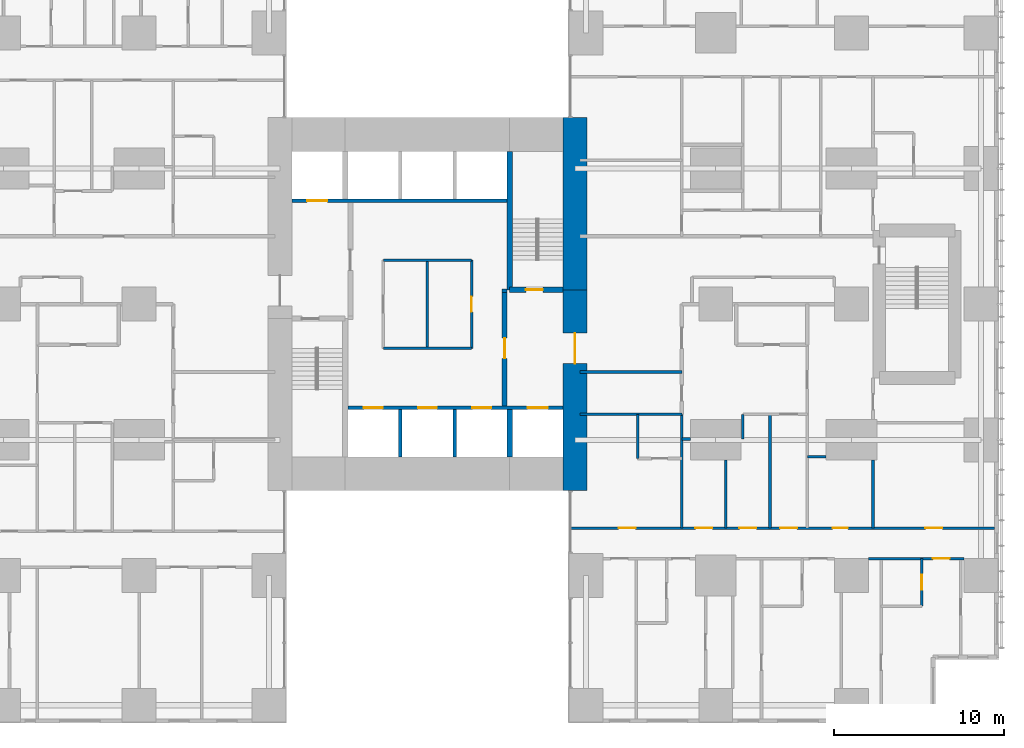
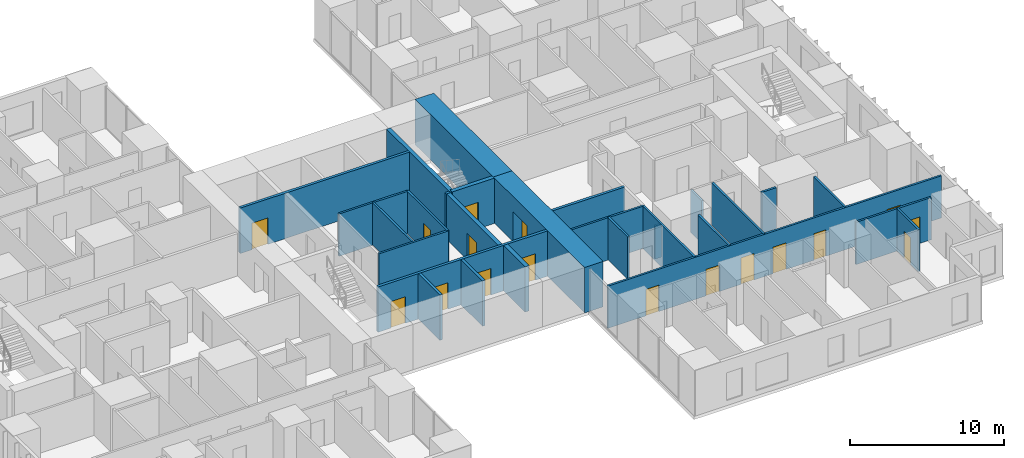
# One storey, part 15 of 21: 28 walls, 17 doors, 17 openings.
"""IFC4 building model written with IfcOpenShell, lengths in metres."""

from ifc_helpers import new_model, si_unit, direction, frame, frame_2d, origin, place, context, subcontext, project, spatial, rectangle, extrude, material, layer, layer_set, type_object, element, fill, save


model = new_model("IFC4")

# Units and contexts
model_context = context("Model", 3, precision=1e-05, world=origin(), true_north=direction((0.0, 1.0)))
body_context = subcontext(model_context, "Body", "Model", "MODEL_VIEW")
ifc_project = project(units=[si_unit("LENGTHUNIT", "METRE"), si_unit("AREAUNIT", "SQUARE_METRE"), si_unit("VOLUMEUNIT", "CUBIC_METRE"), si_unit("PLANEANGLEUNIT", "RADIAN"), si_unit("MASSUNIT", "GRAM", prefix="KILO")], contexts=[model_context])

# Site, building, storey
site_placement = place(None, origin())
site = spatial("IfcSite", under=ifc_project, at=site_placement, CompositionType="ELEMENT")
building_placement = place(site_placement, origin())
building = spatial("IfcBuilding", under=site, at=building_placement, Name="Cleftline Residences", CompositionType="ELEMENT")
storey_placement = place(building_placement, frame((0.0, 0.0, 125.0)))
storey = spatial("IfcBuildingStorey", under=building, at=storey_placement, Name="L32", CompositionType="ELEMENT", Elevation=125.0)

# Wall, opening, door
ifc_material_1 = material(Name="Concrete B70", Category="concrete")
ifc_layer_1 = layer(ifc_material_1, 1.39990234375)
ifc_layer_set_1 = layer_set([ifc_layer_1], Name="CORE WALL 1400")
wall_type_1 = type_object("IfcWallType", Name="CORE WALL 1400", PredefinedType="SHEAR", material=ifc_layer_set_1)
wall_1_placement = place(storey_placement, frame((41.699951171875, 13.0, 0.0), z_axis=(0.0, 0.0, 1.0), x_axis=(0.0, 1.0, 0.0)))
wall_1 = element("IfcWall", 1, at=wall_1_placement, inside=storey, type_object=wall_type_1, Name="Core wall E", PredefinedType="SHEAR", context=body_context, shape_type="SweptSolid", body=[
    extrude(rectangle(XDim=11.85009765625, YDim=1.39990234375, at=frame_2d((5.925048828125, 0.0))), origin(), (0.0, 0.0, 1.0), 3.60009765625),
])
opening_1_placement = place(wall_1_placement, frame((7.5, 0.0, 0.0)))
opening_1 = element("IfcOpeningElement", 2, at=opening_1_placement, cuts=wall_1, Name="Opening D7", PredefinedType="OPENING", context=body_context, shape_type="SweptSolid", body=[
    extrude(rectangle(XDim=1.800048828125, YDim=2.39990234375, at=frame_2d((0.89990234375, 1.199951171875))), frame((0.0, 0.7099609375, 0.0), z_axis=(0.0, -1.0, 0.0), x_axis=(1.0, 0.0, 0.0)), (0.0, 0.0, 1.0), 1.419921875),
])
ifc_material_2 = material(Name="Steel", Category="steel")
door_type_1 = type_object("IfcDoorType", Name="WING DOOR 1800X2400", OperationType="DOUBLE_DOOR_DOUBLE_SWING", PredefinedType="DOOR", material=ifc_material_2)
door_1_placement = place(opening_1_placement, origin())
door_1 = element("IfcDoor", 3, at=door_1_placement, inside=storey, type_object=door_type_1, Name="East wing door", OperationType="DOUBLE_DOOR_DOUBLE_SWING", OverallHeight=2.39990234375, OverallWidth=1.800048828125, PredefinedType="DOOR", context=body_context, shape_type="SweptSolid", body=[
    extrude(rectangle(XDim=1.800048828125, YDim=2.39990234375, at=frame_2d((0.89990234375, 1.199951171875))), frame((0.0, 0.02490234375, 0.0), z_axis=(0.0, -1.0, 0.0), x_axis=(1.0, 0.0, 0.0)), (0.0, 0.0, 1.0), 0.050048828125),
])
fill(opening_1, door_1)

# Walls
wall_2_placement = place(storey_placement, frame((41.699951171875, 24.85009765625, 0.0), z_axis=(0.0, 0.0, 1.0), x_axis=(0.0, 1.0, 0.0)))
element("IfcWall", 4, at=wall_2_placement, inside=storey, type_object=wall_type_1, Name="Core wall E1", PredefinedType="SHEAR", context=body_context, shape_type="SweptSolid", body=[
    extrude(rectangle(XDim=10.14990234375, YDim=1.39990234375, at=frame_2d((5.074951171875, 0.0))), origin(), (0.0, 0.0, 1.0), 3.60009765625),
])
ifc_material_3 = material(Name="Concrete B70", Category="concrete")
ifc_layer_2 = layer(ifc_material_3, 0.300048828125)
ifc_layer_set_2 = layer_set([ifc_layer_2], Name="CORE WALL 300")
wall_type_2 = type_object("IfcWallType", Name="CORE WALL 300", PredefinedType="SHEAR", material=ifc_layer_set_2)
wall_3_placement = place(storey_placement, frame((37.85009765625, 24.85009765625, 0.0), z_axis=(0.0, 0.0, 1.0), x_axis=(0.0, 1.0, 0.0)))
element("IfcWall", 5, at=wall_3_placement, inside=storey, type_object=wall_type_2, Name="Core wall SB-W", PredefinedType="SHEAR", context=body_context, shape_type="SweptSolid", body=[
    extrude(rectangle(XDim=8.14990234375, YDim=0.300048828125, at=frame_2d((4.074951171875, 0.0))), origin(), (0.0, 0.0, 1.0), 3.60009765625),
])

# Wall, opening, door
wall_4_placement = place(storey_placement, frame((37.85009765625, 24.85009765625, 0.0), z_axis=(0.0, 0.0, 1.0), x_axis=(1.0, 0.0, 0.0)))
wall_4 = element("IfcWall", 6, at=wall_4_placement, inside=storey, type_object=wall_type_2, Name="Core wall SB-S", PredefinedType="SHEAR", context=body_context, shape_type="SweptSolid", body=[
    extrude(rectangle(XDim=3.14990234375, YDim=0.300048828125, at=frame_2d((1.574951171875, 0.0))), origin(), (0.0, 0.0, 1.0), 3.60009765625),
])
opening_2_placement = place(wall_4_placement, frame((0.949951171875, 0.0, 0.0)))
opening_2 = element("IfcOpeningElement", 7, at=opening_2_placement, cuts=wall_4, Name="Opening D5", PredefinedType="OPENING", context=body_context, shape_type="SweptSolid", body=[
    extrude(rectangle(XDim=1.0, YDim=2.10009765625, at=frame_2d((0.5, 1.050048828125))), frame((0.0, 0.159912109375, 0.0), z_axis=(0.0, -1.0, 0.0), x_axis=(1.0, 0.0, 0.0)), (0.0, 0.0, 1.0), 0.320068359375),
])
ifc_material_4 = material(Name="Steel", Category="steel")
door_type_2 = type_object("IfcDoorType", Name="STAIR DOOR 1000X2100", OperationType="SINGLE_SWING_LEFT", PredefinedType="DOOR", material=ifc_material_4)
door_2_placement = place(opening_2_placement, origin())
door_2 = element("IfcDoor", 8, at=door_2_placement, inside=storey, type_object=door_type_2, Name="Stair B door", OperationType="SINGLE_SWING_RIGHT", OverallHeight=2.10009765625, OverallWidth=1.0, PredefinedType="DOOR", context=body_context, shape_type="SweptSolid", body=[
    extrude(rectangle(XDim=1.0, YDim=2.10009765625, at=frame_2d((0.5, 1.050048828125))), frame((0.0, 0.02490234375, 0.0), z_axis=(0.0, -1.0, 0.0), x_axis=(1.0, 0.0, 0.0)), (0.0, 0.0, 1.0), 0.050048828125),
])
fill(opening_2, door_2)

# Walls
wall_5_placement = place(storey_placement, frame((37.85009765625, 15.0, 0.0), z_axis=(0.0, 0.0, 1.0), x_axis=(0.0, 1.0, 0.0)))
element("IfcWall", 9, at=wall_5_placement, inside=storey, type_object=wall_type_2, Name="Lift shaft wall", PredefinedType="SHEAR", context=body_context, shape_type="SweptSolid", body=[
    extrude(rectangle(XDim=2.800048828125, YDim=0.300048828125, at=frame_2d((1.39990234375, 0.0))), origin(), (0.0, 0.0, 1.0), 3.60009765625),
])
ifc_material_5 = material(Name="Concrete blockwork, fire rated", Category="masonry")
ifc_layer_3 = layer(ifc_material_5, 0.199951171875)
ifc_layer_set_3 = layer_set([ifc_layer_3], Name="FIRE WALL 200")
wall_type_3 = type_object("IfcWallType", Name="FIRE WALL 200", PredefinedType="PARTITIONING", material=ifc_layer_set_3)
wall_6_placement = place(storey_placement, frame((42.0, 20.0, 0.0), z_axis=(0.0, 0.0, 1.0), x_axis=(1.0, 0.0, 0.0)))
element("IfcWall", 10, at=wall_6_placement, inside=storey, type_object=wall_type_3, Name="Fire separating wall", PredefinedType="PARTITIONING", context=body_context, shape_type="SweptSolid", body=[
    extrude(rectangle(XDim=6.0, YDim=0.199951171875, at=frame_2d((3.0, 0.0))), origin(), (0.0, 0.0, 1.0), 3.35009765625),
])
wall_7_placement = place(storey_placement, frame((37.39990234375, 24.800048828125, 0.0), z_axis=(0.0, 0.0, 1.0), x_axis=(1.0, 0.0, 0.0)))
element("IfcWall", 11, at=wall_7_placement, inside=storey, type_object=wall_type_3, Name="Fire separating wall", PredefinedType="PARTITIONING", context=body_context, shape_type="SweptSolid", body=[
    extrude(rectangle(XDim=0.300048828125, YDim=0.199951171875, at=frame_2d((0.14990234375, 0.0))), origin(), (0.0, 0.0, 1.0), 3.60009765625),
])

# Wall, opening, door
ifc_material_6 = material(Name="Gypsum board on steel studs", Category="steel")
ifc_layer_4 = layer(ifc_material_6, 0.14990234375)
ifc_layer_set_4 = layer_set([ifc_layer_4], Name="PARTITION 150")
wall_type_4 = type_object("IfcWallType", Name="PARTITION 150", PredefinedType="PARTITIONING", material=ifc_layer_set_4)
wall_8_placement = place(storey_placement, frame((59.0, 9.0, 0.0), z_axis=(0.0, 0.0, 1.0), x_axis=(1.0, 0.0, 0.0)))
wall_8 = element("IfcWall", 12, at=wall_8_placement, inside=storey, type_object=wall_type_4, Name="Partition", PredefinedType="PARTITIONING", context=body_context, shape_type="SweptSolid", body=[
    extrude(rectangle(XDim=5.64990234375, YDim=0.14990234375, at=frame_2d((2.824951171875, 0.0))), origin(), (0.0, 0.0, 1.0), 3.35009765625),
])
opening_3_placement = place(wall_8_placement, frame((3.800048828125, 0.0, 0.0)))
opening_3 = element("IfcOpeningElement", 13, at=opening_3_placement, cuts=wall_8, Name="Opening D2", PredefinedType="OPENING", context=body_context, shape_type="SweptSolid", body=[
    extrude(rectangle(XDim=1.0, YDim=2.10009765625, at=frame_2d((0.5, 1.050048828125))), frame((0.0, 0.0849609375, 0.0), z_axis=(0.0, -1.0, 0.0), x_axis=(1.0, 0.0, 0.0)), (0.0, 0.0, 1.0), 0.169921875),
])
ifc_material_7 = material(Name="Timber veneer on solid core", Category="wood")
door_type_3 = type_object("IfcDoorType", Name="DOOR 1000X2100", OperationType="SINGLE_SWING_LEFT", PredefinedType="DOOR", material=ifc_material_7)
door_3_placement = place(opening_3_placement, origin())
door_3 = element("IfcDoor", 14, at=door_3_placement, inside=storey, type_object=door_type_3, Name="Door to bedroom 2", OperationType="SINGLE_SWING_LEFT", OverallHeight=2.10009765625, OverallWidth=1.0, PredefinedType="DOOR", context=body_context, shape_type="SweptSolid", body=[
    extrude(rectangle(XDim=1.0, YDim=2.10009765625, at=frame_2d((0.5, 1.050048828125))), frame((0.0, 0.02490234375, 0.0), z_axis=(0.0, -1.0, 0.0), x_axis=(1.0, 0.0, 0.0)), (0.0, 0.0, 1.0), 0.050048828125),
])
fill(opening_3, door_3)

# Wall, openings, doors
wall_9_placement = place(storey_placement, frame((41.43896484375, 10.800048828125, 0.0), z_axis=(0.0, 0.0, 1.0), x_axis=(1.0, 0.0, 0.0)))
wall_9 = element("IfcWall", 15, at=wall_9_placement, inside=storey, type_object=wall_type_4, Name="Partition", PredefinedType="PARTITIONING", context=body_context, shape_type="SweptSolid", body=[
    extrude(rectangle(XDim=25.010986328125, YDim=0.14990234375, at=frame_2d((12.50537109375, 0.0))), origin(), (0.0, 0.0, 1.0), 3.35009765625),
])
opening_4_placement = place(wall_9_placement, frame((12.361083984375, 0.0, 0.0)))
opening_4 = element("IfcOpeningElement", 16, at=opening_4_placement, cuts=wall_9, Name="Opening D2", PredefinedType="OPENING", context=body_context, shape_type="SweptSolid", body=[
    extrude(rectangle(XDim=1.0, YDim=2.10009765625, at=frame_2d((0.5, 1.050048828125))), frame((0.0, 0.0849609375, 0.0), z_axis=(0.0, -1.0, 0.0), x_axis=(1.0, 0.0, 0.0)), (0.0, 0.0, 1.0), 0.169921875),
])
opening_5_placement = place(wall_9_placement, frame((20.923583984375, 0.0, 0.0)))
opening_5 = element("IfcOpeningElement", 17, at=opening_5_placement, cuts=wall_9, Name="Opening D2", PredefinedType="OPENING", context=body_context, shape_type="SweptSolid", body=[
    extrude(rectangle(XDim=1.0, YDim=2.10009765625, at=frame_2d((0.5, 1.050048828125))), frame((0.0, 0.0849609375, 0.0), z_axis=(0.0, -1.0, 0.0), x_axis=(1.0, 0.0, 0.0)), (0.0, 0.0, 1.0), 0.169921875),
])
opening_6_placement = place(wall_9_placement, frame((15.448486328125, 0.0, 0.0)))
opening_6 = element("IfcOpeningElement", 18, at=opening_6_placement, cuts=wall_9, Name="Opening D1", PredefinedType="OPENING", context=body_context, shape_type="SweptSolid", body=[
    extrude(rectangle(XDim=0.89990234375, YDim=2.10009765625, at=frame_2d((0.449951171875, 1.050048828125))), frame((0.0, 0.0849609375, 0.0), z_axis=(0.0, -1.0, 0.0), x_axis=(1.0, 0.0, 0.0)), (0.0, 0.0, 1.0), 0.169921875),
])
opening_7_placement = place(wall_9_placement, frame((9.9609375, 0.0, 0.0)))
opening_7 = element("IfcOpeningElement", 19, at=opening_7_placement, cuts=wall_9, Name="Opening D2", PredefinedType="OPENING", context=body_context, shape_type="SweptSolid", body=[
    extrude(rectangle(XDim=1.0, YDim=2.10009765625, at=frame_2d((0.5, 1.050048828125))), frame((0.0, 0.0849609375, 0.0), z_axis=(0.0, -1.0, 0.0), x_axis=(1.0, 0.0, 0.0)), (0.0, 0.0, 1.0), 0.169921875),
])
opening_8_placement = place(wall_9_placement, frame((7.361083984375, 0.0, 0.0)))
opening_8 = element("IfcOpeningElement", 20, at=opening_8_placement, cuts=wall_9, Name="Opening D2", PredefinedType="OPENING", context=body_context, shape_type="SweptSolid", body=[
    extrude(rectangle(XDim=1.0, YDim=2.10009765625, at=frame_2d((0.5, 1.050048828125))), frame((0.0, 0.0849609375, 0.0), z_axis=(0.0, -1.0, 0.0), x_axis=(1.0, 0.0, 0.0)), (0.0, 0.0, 1.0), 0.169921875),
])
opening_9_placement = place(wall_9_placement, frame((2.8359375, 0.0, 0.0)))
opening_9 = element("IfcOpeningElement", 21, at=opening_9_placement, cuts=wall_9, Name="Opening D2", PredefinedType="OPENING", context=body_context, shape_type="SweptSolid", body=[
    extrude(rectangle(XDim=1.0, YDim=2.10009765625, at=frame_2d((0.5, 1.050048828125))), frame((0.0, 0.0849609375, 0.0), z_axis=(0.0, -1.0, 0.0), x_axis=(1.0, 0.0, 0.0)), (0.0, 0.0, 1.0), 0.169921875),
])
door_4_placement = place(opening_4_placement, origin())
door_4 = element("IfcDoor", 22, at=door_4_placement, inside=storey, type_object=door_type_3, Name="Door to residence hall", OperationType="SINGLE_SWING_LEFT", OverallHeight=2.10009765625, OverallWidth=1.0, PredefinedType="DOOR", context=body_context, shape_type="SweptSolid", body=[
    extrude(rectangle(XDim=1.0, YDim=2.10009765625, at=frame_2d((0.5, 1.050048828125))), frame((0.0, 0.02490234375, 0.0), z_axis=(0.0, -1.0, 0.0), x_axis=(1.0, 0.0, 0.0)), (0.0, 0.0, 1.0), 0.050048828125),
])
fill(opening_4, door_4)
door_5_placement = place(opening_5_placement, origin())
door_5 = element("IfcDoor", 23, at=door_5_placement, inside=storey, type_object=door_type_3, Name="Door to sea-view living and dining room", OperationType="SINGLE_SWING_LEFT", OverallHeight=2.10009765625, OverallWidth=1.0, PredefinedType="DOOR", context=body_context, shape_type="SweptSolid", body=[
    extrude(rectangle(XDim=1.0, YDim=2.10009765625, at=frame_2d((0.5, 1.050048828125))), frame((0.0, 0.02490234375, 0.0), z_axis=(0.0, -1.0, 0.0), x_axis=(1.0, 0.0, 0.0)), (0.0, 0.0, 1.0), 0.050048828125),
])
fill(opening_5, door_5)
door_6_placement = place(opening_7_placement, origin())
door_6 = element("IfcDoor", 24, at=door_6_placement, inside=storey, type_object=door_type_3, Name="Door to show kitchen", OperationType="SINGLE_SWING_RIGHT", OverallHeight=2.10009765625, OverallWidth=1.0, PredefinedType="DOOR", context=body_context, shape_type="SweptSolid", body=[
    extrude(rectangle(XDim=1.0, YDim=2.10009765625, at=frame_2d((0.5, 1.050048828125))), frame((0.0, 0.02490234375, 0.0), z_axis=(0.0, -1.0, 0.0), x_axis=(1.0, 0.0, 0.0)), (0.0, 0.0, 1.0), 0.050048828125),
])
fill(opening_7, door_6)
door_7_placement = place(opening_8_placement, origin())
door_7 = element("IfcDoor", 25, at=door_7_placement, inside=storey, type_object=door_type_3, Name="Door to wet kitchen", OperationType="SINGLE_SWING_RIGHT", OverallHeight=2.10009765625, OverallWidth=1.0, PredefinedType="DOOR", context=body_context, shape_type="SweptSolid", body=[
    extrude(rectangle(XDim=1.0, YDim=2.10009765625, at=frame_2d((0.5, 1.050048828125))), frame((0.0, 0.02490234375, 0.0), z_axis=(0.0, -1.0, 0.0), x_axis=(1.0, 0.0, 0.0)), (0.0, 0.0, 1.0), 0.050048828125),
])
fill(opening_8, door_7)
door_8_placement = place(opening_9_placement, origin())
door_8 = element("IfcDoor", 26, at=door_8_placement, inside=storey, type_object=door_type_3, Name="Door to master bedroom", OperationType="SINGLE_SWING_RIGHT", OverallHeight=2.10009765625, OverallWidth=1.0, PredefinedType="DOOR", context=body_context, shape_type="SweptSolid", body=[
    extrude(rectangle(XDim=1.0, YDim=2.10009765625, at=frame_2d((0.5, 1.050048828125))), frame((0.0, 0.02490234375, 0.0), z_axis=(0.0, -1.0, 0.0), x_axis=(1.0, 0.0, 0.0)), (0.0, 0.0, 1.0), 0.050048828125),
])
fill(opening_9, door_8)
ifc_material_8 = material(Name="Timber veneer on solid core", Category="wood")
door_type_4 = type_object("IfcDoorType", Name="DOOR 900X2100", OperationType="SINGLE_SWING_LEFT", PredefinedType="DOOR", material=ifc_material_8)
door_9_placement = place(opening_6_placement, origin())
door_9 = element("IfcDoor", 27, at=door_9_placement, inside=storey, type_object=door_type_4, Name="Door to store room", OperationType="SINGLE_SWING_LEFT", OverallHeight=2.10009765625, OverallWidth=0.89990234375, PredefinedType="DOOR", context=body_context, shape_type="SweptSolid", body=[
    extrude(rectangle(XDim=0.89990234375, YDim=2.10009765625, at=frame_2d((0.449951171875, 1.050048828125))), frame((0.0, 0.02490234375, 0.0), z_axis=(0.0, -1.0, 0.0), x_axis=(1.0, 0.0, 0.0)), (0.0, 0.0, 1.0), 0.050048828125),
])
fill(opening_6, door_9)

# Walls
wall_10_placement = place(storey_placement, frame((55.39990234375, 15.0, 0.0), z_axis=(0.0, 0.0, 1.0), x_axis=(1.0, 0.0, 0.0)))
element("IfcWall", 28, at=wall_10_placement, inside=storey, type_object=wall_type_4, Name="Partition", PredefinedType="PARTITIONING", context=body_context, shape_type="SweptSolid", body=[
    extrude(rectangle(XDim=1.10009765625, YDim=0.14990234375, at=frame_2d((0.550048828125, 0.0))), origin(), (0.0, 0.0, 1.0), 3.35009765625),
])
wall_11_placement = place(storey_placement, frame((48.0, 16.050048828125, 0.0), z_axis=(0.0, 0.0, 1.0), x_axis=(1.0, 0.0, 0.0)))
element("IfcWall", 29, at=wall_11_placement, inside=storey, type_object=wall_type_4, Name="Partition", PredefinedType="PARTITIONING", context=body_context, shape_type="SweptSolid", body=[
    extrude(rectangle(XDim=0.5, YDim=0.14990234375, at=frame_2d((0.25, 0.0))), origin(), (0.0, 0.0, 1.0), 2.634033203125),
])
wall_12_placement = place(storey_placement, frame((42.0, 17.5, 0.0), z_axis=(0.0, 0.0, 1.0), x_axis=(1.0, 0.0, 0.0)))
element("IfcWall", 30, at=wall_12_placement, inside=storey, type_object=wall_type_4, Name="Partition", PredefinedType="PARTITIONING", context=body_context, shape_type="SweptSolid", body=[
    extrude(rectangle(XDim=6.0, YDim=0.14990234375, at=frame_2d((3.0, 0.0))), origin(), (0.0, 0.0, 1.0), 3.35009765625),
])
wall_13_placement = place(storey_placement, frame((45.39990234375, 14.89990234375, 0.0), z_axis=(0.0, 0.0, 1.0), x_axis=(0.0, 1.0, 0.0)))
element("IfcWall", 31, at=wall_13_placement, inside=storey, type_object=wall_type_4, Name="Partition", PredefinedType="PARTITIONING", context=body_context, shape_type="SweptSolid", body=[
    extrude(rectangle(XDim=2.60009765625, YDim=0.14990234375, at=frame_2d((1.300048828125, 0.0))), origin(), (0.0, 0.0, 1.0), 3.35009765625),
])
wall_14_placement = place(storey_placement, frame((48.0, 10.800048828125, 0.0), z_axis=(0.0, 0.0, 1.0), x_axis=(0.0, 1.0, 0.0)))
element("IfcWall", 32, at=wall_14_placement, inside=storey, type_object=wall_type_4, Name="Partition", PredefinedType="PARTITIONING", context=body_context, shape_type="SweptSolid", body=[
    extrude(rectangle(XDim=6.699951171875, YDim=0.14990234375, at=frame_2d((3.35009765625, 0.0))), origin(), (0.0, 0.0, 1.0), 3.35009765625),
])
wall_15_placement = place(storey_placement, frame((50.60009765625, 10.800048828125, 0.0), z_axis=(0.0, 0.0, 1.0), x_axis=(0.0, 1.0, 0.0)))
element("IfcWall", 33, at=wall_15_placement, inside=storey, type_object=wall_type_4, Name="Partition", PredefinedType="PARTITIONING", context=body_context, shape_type="SweptSolid", body=[
    extrude(rectangle(XDim=4.0, YDim=0.14990234375, at=frame_2d((2.0, 0.0))), origin(), (0.0, 0.0, 1.0), 3.35009765625),
])
wall_16_placement = place(storey_placement, frame((51.60009765625, 16.050048828125, 0.0), z_axis=(0.0, 0.0, 1.0), x_axis=(0.0, 1.0, 0.0)))
element("IfcWall", 34, at=wall_16_placement, inside=storey, type_object=wall_type_4, Name="Partition", PredefinedType="PARTITIONING", context=body_context, shape_type="SweptSolid", body=[
    extrude(rectangle(XDim=1.449951171875, YDim=0.14990234375, at=frame_2d((0.72509765625, 0.0))), origin(), (0.0, 0.0, 1.0), 3.35009765625),
])
wall_17_placement = place(storey_placement, frame((53.199951171875, 10.800048828125, 0.0), z_axis=(0.0, 0.0, 1.0), x_axis=(0.0, 1.0, 0.0)))
element("IfcWall", 35, at=wall_17_placement, inside=storey, type_object=wall_type_4, Name="Partition", PredefinedType="PARTITIONING", context=body_context, shape_type="SweptSolid", body=[
    extrude(rectangle(XDim=6.699951171875, YDim=0.14990234375, at=frame_2d((3.35009765625, 0.0))), origin(), (0.0, 0.0, 1.0), 3.35009765625),
])
wall_18_placement = place(storey_placement, frame((59.27490234375, 10.800048828125, 0.0), z_axis=(0.0, 0.0, 1.0), x_axis=(0.0, 1.0, 0.0)))
element("IfcWall", 36, at=wall_18_placement, inside=storey, type_object=wall_type_4, Name="Partition", PredefinedType="PARTITIONING", context=body_context, shape_type="SweptSolid", body=[
    extrude(rectangle(XDim=4.0, YDim=0.14990234375, at=frame_2d((2.0, 0.0))), origin(), (0.0, 0.0, 1.0), 3.35009765625),
])

# Wall, opening, door
wall_19_placement = place(storey_placement, frame((62.14990234375, 6.199951171875, 0.0), z_axis=(0.0, 0.0, 1.0), x_axis=(0.0, 1.0, 0.0)))
wall_19 = element("IfcWall", 37, at=wall_19_placement, inside=storey, type_object=wall_type_4, Name="Partition", PredefinedType="PARTITIONING", context=body_context, shape_type="SweptSolid", body=[
    extrude(rectangle(XDim=2.800048828125, YDim=0.14990234375, at=frame_2d((1.39990234375, 0.0))), origin(), (0.0, 0.0, 1.0), 3.35009765625),
])
opening_10_placement = place(wall_19_placement, frame((0.949951171875, 0.0, 0.0)))
opening_10 = element("IfcOpeningElement", 38, at=opening_10_placement, cuts=wall_19, Name="Opening D1", PredefinedType="OPENING", context=body_context, shape_type="SweptSolid", body=[
    extrude(rectangle(XDim=0.89990234375, YDim=2.10009765625, at=frame_2d((0.449951171875, 1.050048828125))), frame((0.0, 0.0849609375, 0.0), z_axis=(0.0, -1.0, 0.0), x_axis=(1.0, 0.0, 0.0)), (0.0, 0.0, 1.0), 0.169921875),
])
door_10_placement = place(opening_10_placement, origin())
door_10 = element("IfcDoor", 39, at=door_10_placement, inside=storey, type_object=door_type_4, Name="Door to en-suite bathroom 2", OperationType="SINGLE_SWING_LEFT", OverallHeight=2.10009765625, OverallWidth=0.89990234375, PredefinedType="DOOR", context=body_context, shape_type="SweptSolid", body=[
    extrude(rectangle(XDim=0.89990234375, YDim=2.10009765625, at=frame_2d((0.449951171875, 1.050048828125))), frame((0.0, 0.02490234375, 0.0), z_axis=(0.0, -1.0, 0.0), x_axis=(1.0, 0.0, 0.0)), (0.0, 0.0, 1.0), 0.050048828125),
])
fill(opening_10, door_10)

# Walls
ifc_material_9 = material(Name="Fire-resisting gypsum board on steel studs", Category="steel")
ifc_layer_5 = layer(ifc_material_9, 0.14990234375)
ifc_layer_set_5 = layer_set([ifc_layer_5], Name="PARTITION 150 EI 60")
wall_type_5 = type_object("IfcWallType", Name="PARTITION 150 EI 60", PredefinedType="PARTITIONING", material=ifc_layer_set_5)
for number, where, z_axis, x_axis, name in (
    (40, (30.39990234375, 21.39990234375, 0.0), (0.0, 0.0, 1.0), (1.0, 0.0, 0.0), "Core room partition"),
    (41, (30.39990234375, 26.60009765625, 0.0), (0.0, 0.0, 1.0), (1.0, 0.0, 0.0), "Core room partition"),
):
    element("IfcWall", number, at=place(storey_placement, frame(where, z_axis=z_axis, x_axis=x_axis)), inside=storey, type_object=wall_type_5, Name=name, PredefinedType="PARTITIONING", context=body_context, shape_type="SweptSolid", body=[
        extrude(rectangle(XDim=5.2001953125, YDim=0.14990234375, at=frame_2d((2.60009765625, 0.0))), origin(), (0.0, 0.0, 1.0), 3.35009765625),
    ])

# Wall, opening, door
wall_20_placement = place(storey_placement, frame((35.60009765625, 21.39990234375, 0.0), z_axis=(0.0, 0.0, 1.0), x_axis=(0.0, 1.0, 0.0)))
wall_20 = element("IfcWall", 42, at=wall_20_placement, inside=storey, type_object=wall_type_5, Name="Core room partition", PredefinedType="PARTITIONING", context=body_context, shape_type="SweptSolid", body=[
    extrude(rectangle(XDim=5.2001953125, YDim=0.14990234375, at=frame_2d((2.60009765625, 0.0))), origin(), (0.0, 0.0, 1.0), 3.35009765625),
])
opening_11_placement = place(wall_20_placement, frame((2.14990234375, 0.0, 0.0)))
opening_11 = element("IfcOpeningElement", 43, at=opening_11_placement, cuts=wall_20, Name="Opening D1F30", PredefinedType="OPENING", context=body_context, shape_type="SweptSolid", body=[
    extrude(rectangle(XDim=0.89990234375, YDim=2.10009765625, at=frame_2d((0.449951171875, 1.050048828125))), frame((0.0, 0.0849609375, 0.0), z_axis=(0.0, -1.0, 0.0), x_axis=(1.0, 0.0, 0.0)), (0.0, 0.0, 1.0), 0.169921875),
])
ifc_material_10 = material(Name="Timber veneer on solid core", Category="wood")
door_type_5 = type_object("IfcDoorType", Name="DOOR 900X2100 EI 30", OperationType="SINGLE_SWING_LEFT", PredefinedType="DOOR", material=ifc_material_10)
door_11_placement = place(opening_11_placement, origin())
door_11 = element("IfcDoor", 44, at=door_11_placement, inside=storey, type_object=door_type_5, Name="Door to cleaner's store", OperationType="SINGLE_SWING_LEFT", OverallHeight=2.10009765625, OverallWidth=0.89990234375, PredefinedType="DOOR", context=body_context, shape_type="SweptSolid", body=[
    extrude(rectangle(XDim=0.89990234375, YDim=2.10009765625, at=frame_2d((0.449951171875, 1.050048828125))), frame((0.0, 0.02490234375, 0.0), z_axis=(0.0, -1.0, 0.0), x_axis=(1.0, 0.0, 0.0)), (0.0, 0.0, 1.0), 0.050048828125),
])
fill(opening_11, door_11)

# Wall
wall_21_placement = place(storey_placement, frame((33.0, 21.39990234375, 0.0), z_axis=(0.0, 0.0, 1.0), x_axis=(0.0, 1.0, 0.0)))
element("IfcWall", 45, at=wall_21_placement, inside=storey, type_object=wall_type_5, Name="Core room partition", PredefinedType="PARTITIONING", context=body_context, shape_type="SweptSolid", body=[
    extrude(rectangle(XDim=5.2001953125, YDim=0.14990234375, at=frame_2d((2.60009765625, 0.0))), origin(), (0.0, 0.0, 1.0), 3.35009765625),
])

# Wall, openings, doors
ifc_material_11 = material(Name="Concrete blockwork, fire rated", Category="masonry")
ifc_layer_6 = layer(ifc_material_11, 0.199951171875)
ifc_layer_set_6 = layer_set([ifc_layer_6], Name="SHAFT WALL 200")
wall_type_6 = type_object("IfcWallType", Name="SHAFT WALL 200", PredefinedType="PARTITIONING", material=ifc_layer_set_6)
wall_22_placement = place(storey_placement, frame((28.300048828125, 17.89990234375, 0.0), z_axis=(0.0, 0.0, 1.0), x_axis=(1.0, 0.0, 0.0)))
wall_22 = element("IfcWall", 46, at=wall_22_placement, inside=storey, type_object=wall_type_6, Name="Lift shaft wall", PredefinedType="PARTITIONING", context=body_context, shape_type="SweptSolid", body=[
    extrude(rectangle(XDim=12.699951171875, YDim=0.199951171875, at=frame_2d((6.35009765625, 0.0))), origin(), (0.0, 0.0, 1.0), 3.60009765625),
])
opening_12_placement = place(wall_22_placement, frame((0.949951171875, 0.0, 0.0)))
opening_12 = element("IfcOpeningElement", 47, at=opening_12_placement, cuts=wall_22, Name="Opening LD1", PredefinedType="OPENING", context=body_context, shape_type="SweptSolid", body=[
    extrude(rectangle(XDim=1.10009765625, YDim=2.10009765625, at=frame_2d((0.550048828125, 1.050048828125))), frame((0.0, 0.10986328125, 0.0), z_axis=(0.0, -1.0, 0.0), x_axis=(1.0, 0.0, 0.0)), (0.0, 0.0, 1.0), 0.219970703125),
])
opening_13_placement = place(wall_22_placement, frame((4.14990234375, 0.0, 0.0)))
opening_13 = element("IfcOpeningElement", 48, at=opening_13_placement, cuts=wall_22, Name="Opening LD1", PredefinedType="OPENING", context=body_context, shape_type="SweptSolid", body=[
    extrude(rectangle(XDim=1.10009765625, YDim=2.10009765625, at=frame_2d((0.550048828125, 1.050048828125))), frame((0.0, 0.10986328125, 0.0), z_axis=(0.0, -1.0, 0.0), x_axis=(1.0, 0.0, 0.0)), (0.0, 0.0, 1.0), 0.219970703125),
])
opening_14_placement = place(wall_22_placement, frame((7.35009765625, 0.0, 0.0)))
opening_14 = element("IfcOpeningElement", 49, at=opening_14_placement, cuts=wall_22, Name="Opening LD1", PredefinedType="OPENING", context=body_context, shape_type="SweptSolid", body=[
    extrude(rectangle(XDim=1.10009765625, YDim=2.10009765625, at=frame_2d((0.550048828125, 1.050048828125))), frame((0.0, 0.10986328125, 0.0), z_axis=(0.0, -1.0, 0.0), x_axis=(1.0, 0.0, 0.0)), (0.0, 0.0, 1.0), 0.219970703125),
])
opening_15_placement = place(wall_22_placement, frame((10.60009765625, 0.0, 0.0)))
opening_15 = element("IfcOpeningElement", 50, at=opening_15_placement, cuts=wall_22, Name="Opening LD2", PredefinedType="OPENING", context=body_context, shape_type="SweptSolid", body=[
    extrude(rectangle(XDim=1.199951171875, YDim=2.10009765625, at=frame_2d((0.60009765625, 1.050048828125))), frame((0.0, 0.10986328125, 0.0), z_axis=(0.0, -1.0, 0.0), x_axis=(1.0, 0.0, 0.0)), (0.0, 0.0, 1.0), 0.219970703125),
])
ifc_material_12 = material(Name="Steel", Category="steel")
door_type_6 = type_object("IfcDoorType", Name="FIREFIGHTING LIFT LANDING DOOR 1200X2100", OperationType="SLIDING_TO_LEFT", PredefinedType="DOOR", material=ifc_material_12)
door_12_placement = place(opening_15_placement, origin())
door_12 = element("IfcDoor", 51, at=door_12_placement, inside=storey, type_object=door_type_6, Name="Lift FL2 landing door", OperationType="SLIDING_TO_LEFT", OverallHeight=2.10009765625, OverallWidth=1.199951171875, PredefinedType="DOOR", context=body_context, shape_type="SweptSolid", body=[
    extrude(rectangle(XDim=1.199951171875, YDim=2.10009765625, at=frame_2d((0.60009765625, 1.050048828125))), frame((0.0, 0.02490234375, 0.0), z_axis=(0.0, -1.0, 0.0), x_axis=(1.0, 0.0, 0.0)), (0.0, 0.0, 1.0), 0.050048828125),
])
fill(opening_15, door_12)
ifc_material_13 = material(Name="Steel", Category="steel")
door_type_7 = type_object("IfcDoorType", Name="LIFT LANDING DOOR 1100X2100", OperationType="SLIDING_TO_LEFT", PredefinedType="DOOR", material=ifc_material_13)
door_13_placement = place(opening_12_placement, origin())
door_13 = element("IfcDoor", 52, at=door_13_placement, inside=storey, type_object=door_type_7, Name="Lift P1 landing door", OperationType="SLIDING_TO_LEFT", OverallHeight=2.10009765625, OverallWidth=1.10009765625, PredefinedType="DOOR", context=body_context, shape_type="SweptSolid", body=[
    extrude(rectangle(XDim=1.10009765625, YDim=2.10009765625, at=frame_2d((0.550048828125, 1.050048828125))), frame((0.0, 0.02490234375, 0.0), z_axis=(0.0, -1.0, 0.0), x_axis=(1.0, 0.0, 0.0)), (0.0, 0.0, 1.0), 0.050048828125),
])
fill(opening_12, door_13)
door_14_placement = place(opening_13_placement, origin())
door_14 = element("IfcDoor", 53, at=door_14_placement, inside=storey, type_object=door_type_7, Name="Lift P2 landing door", OperationType="SLIDING_TO_LEFT", OverallHeight=2.10009765625, OverallWidth=1.10009765625, PredefinedType="DOOR", context=body_context, shape_type="SweptSolid", body=[
    extrude(rectangle(XDim=1.10009765625, YDim=2.10009765625, at=frame_2d((0.550048828125, 1.050048828125))), frame((0.0, 0.02490234375, 0.0), z_axis=(0.0, -1.0, 0.0), x_axis=(1.0, 0.0, 0.0)), (0.0, 0.0, 1.0), 0.050048828125),
])
fill(opening_13, door_14)
door_15_placement = place(opening_14_placement, origin())
door_15 = element("IfcDoor", 54, at=door_15_placement, inside=storey, type_object=door_type_7, Name="Lift P3 landing door", OperationType="SLIDING_TO_LEFT", OverallHeight=2.10009765625, OverallWidth=1.10009765625, PredefinedType="DOOR", context=body_context, shape_type="SweptSolid", body=[
    extrude(rectangle(XDim=1.10009765625, YDim=2.10009765625, at=frame_2d((0.550048828125, 1.050048828125))), frame((0.0, 0.02490234375, 0.0), z_axis=(0.0, -1.0, 0.0), x_axis=(1.0, 0.0, 0.0)), (0.0, 0.0, 1.0), 0.050048828125),
])
fill(opening_14, door_15)

# Wall, opening, door
wall_23_placement = place(storey_placement, frame((25.0, 30.10009765625, 0.0), z_axis=(0.0, 0.0, 1.0), x_axis=(1.0, 0.0, 0.0)))
wall_23 = element("IfcWall", 55, at=wall_23_placement, inside=storey, type_object=wall_type_6, Name="Lift shaft wall", PredefinedType="PARTITIONING", context=body_context, shape_type="SweptSolid", body=[
    extrude(rectangle(XDim=12.699951171875, YDim=0.199951171875, at=frame_2d((6.35009765625, 0.0))), origin(), (0.0, 0.0, 1.0), 3.60009765625),
])
opening_16_placement = place(wall_23_placement, frame((0.89990234375, 0.0, 0.0)))
opening_16 = element("IfcOpeningElement", 56, at=opening_16_placement, cuts=wall_23, Name="Opening LD2", PredefinedType="OPENING", context=body_context, shape_type="SweptSolid", body=[
    extrude(rectangle(XDim=1.199951171875, YDim=2.10009765625, at=frame_2d((0.60009765625, 1.050048828125))), frame((0.0, 0.10986328125, 0.0), z_axis=(0.0, -1.0, 0.0), x_axis=(1.0, 0.0, 0.0)), (0.0, 0.0, 1.0), 0.219970703125),
])
door_16_placement = place(opening_16_placement, origin())
door_16 = element("IfcDoor", 57, at=door_16_placement, inside=storey, type_object=door_type_6, Name="Lift FL1 landing door", OperationType="SLIDING_TO_LEFT", OverallHeight=2.10009765625, OverallWidth=1.199951171875, PredefinedType="DOOR", context=body_context, shape_type="SweptSolid", body=[
    extrude(rectangle(XDim=1.199951171875, YDim=2.10009765625, at=frame_2d((0.60009765625, 1.050048828125))), frame((0.0, 0.02490234375, 0.0), z_axis=(0.0, -1.0, 0.0), x_axis=(1.0, 0.0, 0.0)), (0.0, 0.0, 1.0), 0.050048828125),
])
fill(opening_16, door_16)

# Walls
for number, where, z_axis, x_axis, name in (
    (58, (31.39990234375, 15.0, 0.0), (0.0, 0.0, 1.0), (0.0, 1.0, 0.0), "Lift shaft wall"),
    (59, (34.60009765625, 15.0, 0.0), (0.0, 0.0, 1.0), (0.0, 1.0, 0.0), "Lift shaft wall"),
):
    element("IfcWall", number, at=place(storey_placement, frame(where, z_axis=z_axis, x_axis=x_axis)), inside=storey, type_object=wall_type_6, Name=name, PredefinedType="PARTITIONING", context=body_context, shape_type="SweptSolid", body=[
        extrude(rectangle(XDim=2.800048828125, YDim=0.199951171875, at=frame_2d((1.39990234375, 0.0))), origin(), (0.0, 0.0, 1.0), 3.60009765625),
    ])

# Wall, opening, door
ifc_material_14 = material(Name="Concrete blockwork, fire rated", Category="masonry")
ifc_layer_7 = layer(ifc_material_14, 0.300048828125)
ifc_layer_set_7 = layer_set([ifc_layer_7], Name="STAIR LOBBY WALL 300")
wall_type_7 = type_object("IfcWallType", Name="STAIR LOBBY WALL 300", PredefinedType="PARTITIONING", material=ifc_layer_set_7)
wall_24_placement = place(storey_placement, frame((37.550048828125, 18.0, 0.0), z_axis=(0.0, 0.0, 1.0), x_axis=(0.0, 1.0, 0.0)))
wall_24 = element("IfcWall", 60, at=wall_24_placement, inside=storey, type_object=wall_type_7, Name="Stair and lobby wall FB-W", PredefinedType="PARTITIONING", context=body_context, shape_type="SweptSolid", body=[
    extrude(rectangle(XDim=6.699951171875, YDim=0.300048828125, at=frame_2d((3.35009765625, 0.0))), origin(), (0.0, 0.0, 1.0), 3.60009765625),
])
opening_17_placement = place(wall_24_placement, frame((2.800048828125, 0.0, 0.0)))
opening_17 = element("IfcOpeningElement", 61, at=opening_17_placement, cuts=wall_24, Name="Opening D6", PredefinedType="OPENING", context=body_context, shape_type="SweptSolid", body=[
    extrude(rectangle(XDim=1.199951171875, YDim=2.10009765625, at=frame_2d((0.60009765625, 1.050048828125))), frame((0.0, 0.159912109375, 0.0), z_axis=(0.0, -1.0, 0.0), x_axis=(1.0, 0.0, 0.0)), (0.0, 0.0, 1.0), 0.320068359375),
])
ifc_material_15 = material(Name="Steel", Category="steel")
door_type_8 = type_object("IfcDoorType", Name="LOBBY DOOR 1200X2100", OperationType="SINGLE_SWING_RIGHT", PredefinedType="DOOR", material=ifc_material_15)
door_17_placement = place(opening_17_placement, origin())
door_17 = element("IfcDoor", 62, at=door_17_placement, inside=storey, type_object=door_type_8, Name="Firefighting lobby B door", OperationType="SINGLE_SWING_LEFT", OverallHeight=2.10009765625, OverallWidth=1.199951171875, PredefinedType="DOOR", context=body_context, shape_type="SweptSolid", body=[
    extrude(rectangle(XDim=1.199951171875, YDim=2.10009765625, at=frame_2d((0.60009765625, 1.050048828125))), frame((0.0, 0.02490234375, 0.0), z_axis=(0.0, -1.0, 0.0), x_axis=(1.0, 0.0, 0.0)), (0.0, 0.0, 1.0), 0.050048828125),
])
fill(opening_17, door_17)

save(model, "model.ifc")
